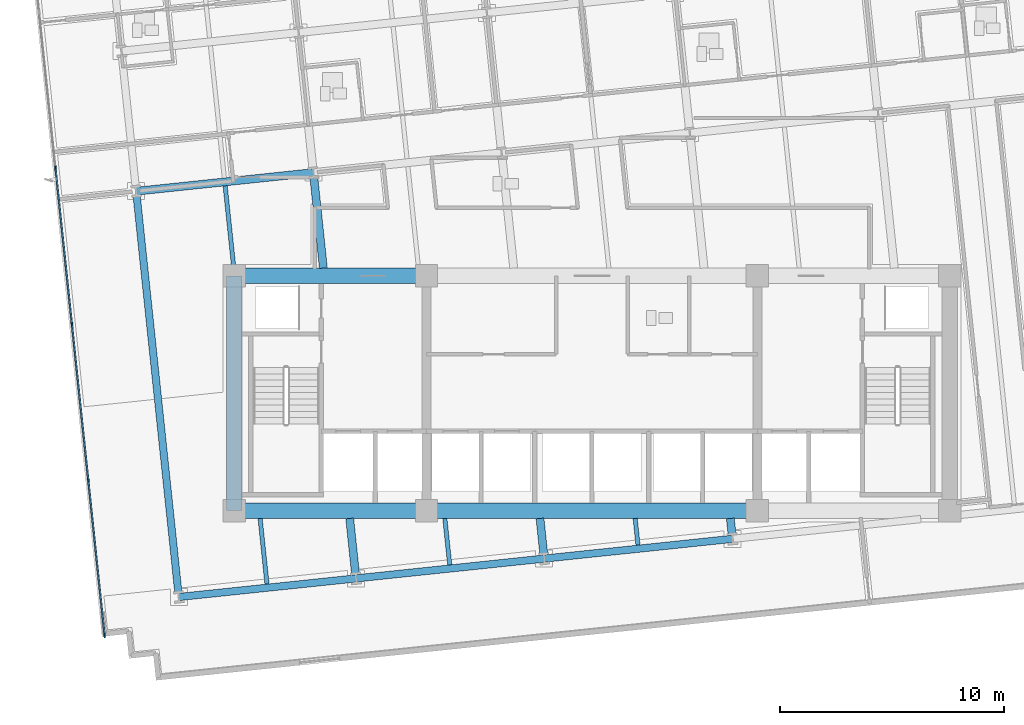
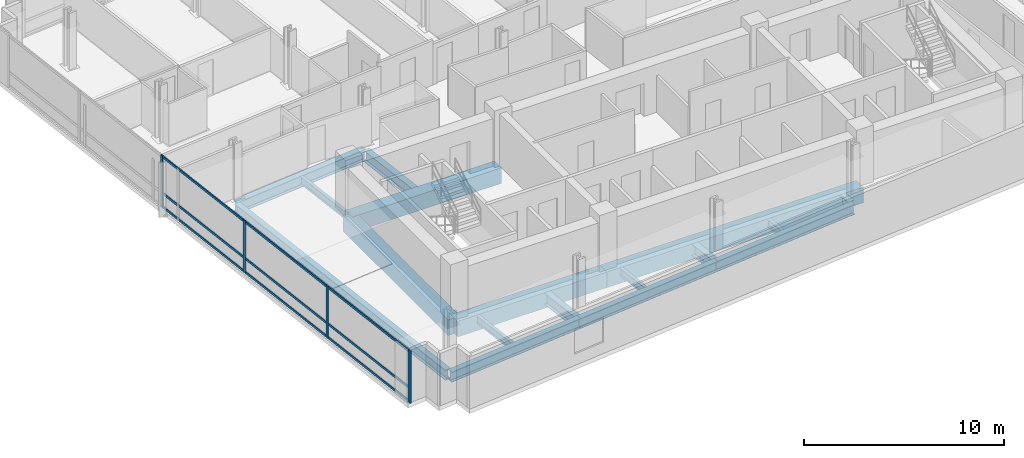
# One storey, part 2 of 20: 17 beams, 13 members, 1 element without a shape of its own.
"""IFC4 building model written with IfcOpenShell, lengths in metres."""

from ifc_helpers import new_model, si_unit, direction, frame, origin, origin_2d, place, context, subcontext, project, spatial, rectangle, i_section, extrude, material, material_profile, profile_set, type_object, element, aggregate, save


model = new_model("IFC4")

# Units and contexts
model_context = context("Model", 3, precision=1e-05, world=origin(), true_north=direction((0.0, 1.0)))
body_context = subcontext(model_context, "Body", "Model", "MODEL_VIEW")
ifc_project = project(units=[si_unit("LENGTHUNIT", "METRE"), si_unit("AREAUNIT", "SQUARE_METRE"), si_unit("VOLUMEUNIT", "CUBIC_METRE"), si_unit("PLANEANGLEUNIT", "RADIAN"), si_unit("MASSUNIT", "GRAM", prefix="KILO")], contexts=[model_context])

# Site, building, storey
site_placement = place(None, origin())
site = spatial("IfcSite", under=ifc_project, at=site_placement, CompositionType="ELEMENT")
building_placement = place(site_placement, origin())
building = spatial("IfcBuilding", under=site, at=building_placement, Name="Solmavex Isthmus Hotel", CompositionType="ELEMENT")
storey_placement = place(building_placement, frame((0.0, 0.0, 87.0)))
storey = spatial("IfcBuildingStorey", under=building, at=storey_placement, Name="L23", CompositionType="ELEMENT", Elevation=87.0)

# Beams
ifc_material_1 = material(Name="Steel ASTM A992 Grade 50", Category="steel")
ifc_material_profile_1 = material_profile(ifc_material_1, i_section(OverallWidth=0.354736328125, OverallDepth=0.695556640625, WebThickness=0.015380859375, FlangeThickness=0.02490234375, FilletRadius=0.017822265625, at=origin_2d()), Name="W27X146")
ifc_profile_set_1 = profile_set([ifc_material_profile_1], Name="Steel ASTM A992 Grade 50")
beam_type_1 = type_object("IfcBeamType", Name="BM-BG-W27X146", PredefinedType="BEAM", material=ifc_profile_set_1)
beam_1_placement = place(storey_placement, frame((-20.383056640625, 1.28564453125, -0.607666015625), z_axis=(0.994520217478, 0.10454442609, 0.0), x_axis=(-0.10454442609, 0.994520217478, 0.0)))
element("IfcBeam", 1, at=beam_1_placement, inside=storey, type_object=beam_type_1, Name="Floor Girder L23-UG07", PredefinedType="BEAM", context=body_context, shape_type="SweptSolid", body=[
    extrude(i_section(OverallWidth=0.354736328125, OverallDepth=0.695556640625, WebThickness=0.015380859375, FlangeThickness=0.02490234375, FilletRadius=0.017822265625, at=origin_2d()), origin(), (0.0, 0.0, 1.0), 7.968017578125),
])
beam_2_placement = place(storey_placement, frame((-10.568115234375, -15.868896484375, -0.607666015625), z_axis=(-0.104589444628, 0.994515484079, 0.0), x_axis=(-0.994515484079, -0.104589444628, 0.0)))
element("IfcBeam", 2, at=beam_2_placement, inside=storey, type_object=beam_type_1, Name="Floor Beam L23-VG28", PredefinedType="BEAM", context=body_context, shape_type="SweptSolid", body=[
    extrude(i_section(OverallWidth=0.354736328125, OverallDepth=0.695556640625, WebThickness=0.015380859375, FlangeThickness=0.02490234375, FilletRadius=0.017822265625, at=origin_2d()), origin(), (0.0, 0.0, 1.0), 2.53271484375),
])
beam_3_placement = place(storey_placement, frame((-12.010009765625, -2.14990234375, -0.607666015625), z_axis=(-0.104548881212, 0.994519749144, 0.0), x_axis=(-0.994519749144, -0.104548881212, 0.0)))
element("IfcBeam", 3, at=beam_3_placement, inside=storey, type_object=beam_type_1, Name="Floor Beam L23-VG29", PredefinedType="BEAM", context=body_context, shape_type="SweptSolid", body=[
    extrude(i_section(OverallWidth=0.354736328125, OverallDepth=0.695556640625, WebThickness=0.015380859375, FlangeThickness=0.02490234375, FilletRadius=0.017822265625, at=origin_2d()), origin(), (0.0, 0.0, 1.0), 4.114501953125),
])
beam_4_placement = place(storey_placement, frame((-2.148681640625, -14.984130859375, -0.607666015625), z_axis=(-0.104460468373, 0.99452903957, 0.0), x_axis=(-0.99452903957, -0.104460468373, 0.0)))
element("IfcBeam", 4, at=beam_4_placement, inside=storey, type_object=beam_type_1, Name="Floor Beam L23-VG32", PredefinedType="BEAM", context=body_context, shape_type="SweptSolid", body=[
    extrude(i_section(OverallWidth=0.354736328125, OverallDepth=0.695556640625, WebThickness=0.015380859375, FlangeThickness=0.02490234375, FilletRadius=0.017822265625, at=origin_2d()), origin(), (0.0, 0.0, 1.0), 1.64306640625),
])
beam_5_placement = place(storey_placement, frame((6.27099609375, -14.09912109375, -0.607666015625), z_axis=(-0.104381041728, 0.99453737895, 0.0), x_axis=(-0.99453737895, -0.104381041728, 0.0)))
element("IfcBeam", 5, at=beam_5_placement, inside=storey, type_object=beam_type_1, Name="Floor Beam L23-VG36", PredefinedType="BEAM", context=body_context, shape_type="SweptSolid", body=[
    extrude(i_section(OverallWidth=0.354736328125, OverallDepth=0.695556640625, WebThickness=0.015380859375, FlangeThickness=0.02490234375, FilletRadius=0.017822265625, at=origin_2d()), origin(), (0.0, 0.0, 1.0), 0.753173828125),
])
ifc_material_profile_2 = material_profile(ifc_material_1, i_section(OverallWidth=0.1904296875, OverallDepth=0.456787109375, WebThickness=0.009033203125, FlangeThickness=0.014404296875, FilletRadius=0.0126953125, at=origin_2d()), Name="W18X50")
ifc_profile_set_2 = profile_set([ifc_material_profile_2], Name="Steel ASTM A992 Grade 50")
beam_type_2 = type_object("IfcBeamType", Name="BM-BJ-W18X50", PredefinedType="JOIST", material=ifc_profile_set_2)
beam_6_placement = place(storey_placement, frame((-14.5302734375, -16.285400390625, -0.488525390625), z_axis=(-0.104555607512, 0.994519042019, 0.0), x_axis=(-0.994519042019, -0.104555607512, 0.0)))
element("IfcBeam", 6, at=beam_6_placement, inside=storey, type_object=beam_type_2, Name="Secondary Floor Joist L23-J01", PredefinedType="JOIST", context=body_context, shape_type="SweptSolid", body=[
    extrude(i_section(OverallWidth=0.1904296875, OverallDepth=0.456787109375, WebThickness=0.009033203125, FlangeThickness=0.014404296875, FilletRadius=0.0126953125, at=origin_2d()), origin(), (0.0, 0.0, 1.0), 2.951416015625),
])
beam_7_placement = place(storey_placement, frame((-16.01611328125, -2.14990234375, -0.488525390625), z_axis=(-0.104505969986, 0.99452425925, 0.0), x_axis=(-0.99452425925, -0.104505969986, 0.0)))
element("IfcBeam", 7, at=beam_7_placement, inside=storey, type_object=beam_type_2, Name="Secondary Floor Joist L23-J02", PredefinedType="JOIST", context=body_context, shape_type="SweptSolid", body=[
    extrude(i_section(OverallWidth=0.1904296875, OverallDepth=0.456787109375, WebThickness=0.009033203125, FlangeThickness=0.014404296875, FilletRadius=0.0126953125, at=origin_2d()), origin(), (0.0, 0.0, 1.0), 3.69580078125),
])
beam_8_placement = place(storey_placement, frame((-6.3583984375, -15.426513671875, -0.488525390625), z_axis=(-0.104538696399, 0.99452081977, 0.0), x_axis=(-0.99452081977, -0.104538696399, 0.0)))
element("IfcBeam", 8, at=beam_8_placement, inside=storey, type_object=beam_type_2, Name="Secondary Floor Joist L23-J05", PredefinedType="JOIST", context=body_context, shape_type="SweptSolid", body=[
    extrude(i_section(OverallWidth=0.1904296875, OverallDepth=0.456787109375, WebThickness=0.009033203125, FlangeThickness=0.014404296875, FilletRadius=0.0126953125, at=origin_2d()), origin(), (0.0, 0.0, 1.0), 2.087890625),
])
beam_9_placement = place(storey_placement, frame((2.061279296875, -14.54150390625, -0.488525390625), z_axis=(-0.104546872872, 0.994519960269, 0.0), x_axis=(-0.994519960269, -0.104546872872, 0.0)))
element("IfcBeam", 9, at=beam_9_placement, inside=storey, type_object=beam_type_2, Name="Secondary Floor Joist L23-J09", PredefinedType="JOIST", context=body_context, shape_type="SweptSolid", body=[
    extrude(i_section(OverallWidth=0.1904296875, OverallDepth=0.456787109375, WebThickness=0.009033203125, FlangeThickness=0.014404296875, FilletRadius=0.0126953125, at=origin_2d()), origin(), (0.0, 0.0, 1.0), 1.197998046875),
])
ifc_material_2 = material(Name="Concrete C60/75", Category="concrete")
ifc_material_profile_3 = material_profile(ifc_material_2, rectangle(XDim=0.699951171875, YDim=0.949951171875, at=origin_2d()), Name="RC700X950")
ifc_profile_set_3 = profile_set([ifc_material_profile_3], Name="Concrete C60/75")
beam_type_3 = type_object("IfcBeamType", Name="BM-CB-700X950", PredefinedType="BEAM", material=ifc_profile_set_3)
beam_10_placement = place(storey_placement, frame((-16.0, -13.0, -0.735107421875), z_axis=(1.0, 0.0, 0.0), x_axis=(0.0, 1.0, 0.0)))
element("IfcBeam", 10, at=beam_10_placement, inside=storey, type_object=beam_type_3, Name="Core Coupling Beam L23-CB1", PredefinedType="BEAM", context=body_context, shape_type="SweptSolid", body=[
    extrude(rectangle(XDim=0.699951171875, YDim=0.949951171875, at=origin_2d()), origin(), (0.0, 0.0, 1.0), 8.60009765625),
])
beam_11_placement = place(storey_placement, frame((-7.39990234375, -13.0, -0.735107421875), z_axis=(1.0, 0.0, 0.0), x_axis=(0.0, 1.0, 0.0)))
element("IfcBeam", 11, at=beam_11_placement, inside=storey, type_object=beam_type_3, Name="Core Coupling Beam L23-CB2", PredefinedType="BEAM", context=body_context, shape_type="SweptSolid", body=[
    extrude(rectangle(XDim=0.699951171875, YDim=0.949951171875, at=origin_2d()), origin(), (0.0, 0.0, 1.0), 14.7998046875),
])
beam_12_placement = place(storey_placement, frame((-16.0, -2.5, -0.735107421875), z_axis=(1.0, 0.0, 0.0), x_axis=(0.0, 1.0, 0.0)))
element("IfcBeam", 12, at=beam_12_placement, inside=storey, type_object=beam_type_3, Name="Core Coupling Beam L23-CB4", PredefinedType="BEAM", context=body_context, shape_type="SweptSolid", body=[
    extrude(rectangle(XDim=0.699951171875, YDim=0.949951171875, at=origin_2d()), origin(), (0.0, 0.0, 1.0), 8.60009765625),
])
beam_13_placement = place(storey_placement, frame((-16.0, -13.0, -0.735107421875), z_axis=(0.0, 1.0, 0.0), x_axis=(-1.0, 0.0, 0.0)))
element("IfcBeam", 13, at=beam_13_placement, inside=storey, type_object=beam_type_3, Name="Core Coupling Beam L23-CB7", PredefinedType="BEAM", context=body_context, shape_type="SweptSolid", body=[
    extrude(rectangle(XDim=0.699951171875, YDim=0.949951171875, at=origin_2d()), origin(), (0.0, 0.0, 1.0), 10.5),
])
ifc_material_profile_4 = material_profile(ifc_material_1, i_section(OverallWidth=0.326416015625, OverallDepth=0.621826171875, WebThickness=0.015380859375, FlangeThickness=0.0244140625, FilletRadius=0.01513671875, at=origin_2d()), Name="W24X131")
ifc_profile_set_4 = profile_set([ifc_material_profile_4], Name="Steel ASTM A992 Grade 50")
beam_type_4 = type_object("IfcBeamType", Name="BM-SP-W24X131", PredefinedType="SPANDREL", material=ifc_profile_set_4)
beam_14_placement = place(storey_placement, frame((-18.475341796875, -16.8642578125, -0.57080078125), z_axis=(0.994523402738, 0.104514120609, 0.0), x_axis=(-0.104514120609, 0.994523402738, 0.0)))
element("IfcBeam", 14, at=beam_14_placement, inside=storey, type_object=beam_type_4, Name="Floor Girder L23-UG01", PredefinedType="SPANDREL", context=body_context, shape_type="SweptSolid", body=[
    extrude(i_section(OverallWidth=0.326416015625, OverallDepth=0.621826171875, WebThickness=0.015380859375, FlangeThickness=0.0244140625, FilletRadius=0.01513671875, at=origin_2d()), origin(), (0.0, 0.0, 1.0), 7.968017578125),
])
beam_15_placement = place(storey_placement, frame((-10.551025390625, -16.031494140625, -0.57080078125), z_axis=(0.994520770064, 0.104539169271, 0.0), x_axis=(-0.104539169271, 0.994520770064, 0.0)))
element("IfcBeam", 15, at=beam_15_placement, inside=storey, type_object=beam_type_4, Name="Floor Girder L23-UG02", PredefinedType="SPANDREL", context=body_context, shape_type="SweptSolid", body=[
    extrude(i_section(OverallWidth=0.326416015625, OverallDepth=0.621826171875, WebThickness=0.015380859375, FlangeThickness=0.0244140625, FilletRadius=0.01513671875, at=origin_2d()), origin(), (0.0, 0.0, 1.0), 8.4658203125),
])
beam_16_placement = place(storey_placement, frame((-2.131591796875, -15.146484375, -0.57080078125), z_axis=(0.994521085209, 0.104536171134, 0.0), x_axis=(-0.104536171134, 0.994521085209, 0.0)))
element("IfcBeam", 16, at=beam_16_placement, inside=storey, type_object=beam_type_4, Name="Floor Girder L23-UG03", PredefinedType="SPANDREL", context=body_context, shape_type="SweptSolid", body=[
    extrude(i_section(OverallWidth=0.326416015625, OverallDepth=0.621826171875, WebThickness=0.015380859375, FlangeThickness=0.0244140625, FilletRadius=0.01513671875, at=origin_2d()), origin(), (0.0, 0.0, 1.0), 8.466064453125),
])
beam_17_placement = place(storey_placement, frame((-18.492431640625, -16.701904296875, -0.57080078125), z_axis=(-0.104530088192, 0.99452172458, 0.0), x_axis=(-0.99452172458, -0.104530088192, 0.0)))
element("IfcBeam", 17, at=beam_17_placement, inside=storey, type_object=beam_type_4, Name="Floor Beam L23-VG25", PredefinedType="SPANDREL", context=body_context, shape_type="SweptSolid", body=[
    extrude(i_section(OverallWidth=0.326416015625, OverallDepth=0.621826171875, WebThickness=0.015380859375, FlangeThickness=0.0244140625, FilletRadius=0.01513671875, at=origin_2d()), origin(), (0.0, 0.0, 1.0), 17.909423828125),
])

# Curtain wall, members
ifc_material_3 = material(Name="Aluminium alloy 6063-T6", Category="aluminium")
curtain_wall_type = type_object("IfcCurtainWallType", Name="CW-SYS-03", PredefinedType="NOTDEFINED", material=ifc_material_3)
curtain_wall_placement = place(storey_placement, origin())
curtain_wall = element("IfcCurtainWall", 18, at=curtain_wall_placement, inside=storey, type_object=curtain_wall_type, Name="Stick Curtain Wall CWL-L23-W1", PredefinedType="NOTDEFINED")
ifc_material_profile_5 = material_profile(ifc_material_3, rectangle(XDim=0.070068359375, YDim=0.179931640625, at=origin_2d()), Name="CWM-70X180")
ifc_profile_set_5 = profile_set([ifc_material_profile_5], Name="Aluminium alloy 6063-T6")
member_type_1 = type_object("IfcMemberType", Name="CW-SYS-03-MUL", PredefinedType="MULLION", material=ifc_profile_set_5)
member_1_placement = place(storey_placement, frame((-21.793701171875, -18.585693359375, 0.0), z_axis=(0.0, 0.0, 1.0), x_axis=(-0.994521893044, -0.104528485381, 0.0)))
member_1 = element("IfcMember", 19, at=member_1_placement, type_object=member_type_1, Name="CW-03 mullion 1", PredefinedType="MULLION", context=body_context, shape_type="SweptSolid", body=[
    extrude(rectangle(XDim=0.070068359375, YDim=0.179931640625, at=origin_2d()), origin(), (0.0, 0.0, 1.0), 3.18994140625),
])
member_2_placement = place(storey_placement, frame((-22.52392578125, -11.638916015625, 0.0), z_axis=(0.0, 0.0, 1.0), x_axis=(-0.994521893044, -0.104528485381, 0.0)))
member_2 = element("IfcMember", 20, at=member_2_placement, type_object=member_type_1, Name="CW-03 mullion 2", PredefinedType="MULLION", context=body_context, shape_type="SweptSolid", body=[
    extrude(rectangle(XDim=0.070068359375, YDim=0.179931640625, at=origin_2d()), origin(), (0.0, 0.0, 1.0), 3.18994140625),
])
member_3_placement = place(storey_placement, frame((-23.257568359375, -4.6572265625, 0.0), z_axis=(0.0, 0.0, 1.0), x_axis=(-0.994521893044, -0.104528485381, 0.0)))
member_3 = element("IfcMember", 21, at=member_3_placement, type_object=member_type_1, Name="CW-03 mullion 3", PredefinedType="MULLION", context=body_context, shape_type="SweptSolid", body=[
    extrude(rectangle(XDim=0.070068359375, YDim=0.179931640625, at=origin_2d()), origin(), (0.0, 0.0, 1.0), 3.18994140625),
])
member_4_placement = place(storey_placement, frame((-23.991455078125, 2.32421875, 0.0), z_axis=(0.0, 0.0, 1.0), x_axis=(-0.994521893044, -0.104528485381, 0.0)))
member_4 = element("IfcMember", 22, at=member_4_placement, type_object=member_type_1, Name="CW-03 mullion 4", PredefinedType="MULLION", context=body_context, shape_type="SweptSolid", body=[
    extrude(rectangle(XDim=0.070068359375, YDim=0.179931640625, at=origin_2d()), origin(), (0.0, 0.0, 1.0), 3.18994140625),
])
ifc_material_profile_6 = material_profile(ifc_material_3, rectangle(XDim=0.070068359375, YDim=0.139892578125, at=origin_2d()), Name="CWT-70X140")
ifc_profile_set_6 = profile_set([ifc_material_profile_6], Name="Aluminium alloy 6063-T6")
member_type_2 = type_object("IfcMemberType", Name="CW-SYS-03-TRN", PredefinedType="USERDEFINED", material=ifc_profile_set_6)
member_5_placement = place(storey_placement, frame((-21.79736328125, -18.55078125, 0.070068359375), z_axis=(-0.104539595565, 0.994520725254, 0.0), x_axis=(-0.994520725254, -0.104539595565, 0.0)))
member_5 = element("IfcMember", 23, at=member_5_placement, type_object=member_type_2, Name="CW-03 transom 1.1", ObjectType="TRANSOM", PredefinedType="USERDEFINED", context=body_context, shape_type="SweptSolid", body=[
    extrude(rectangle(XDim=0.070068359375, YDim=0.139892578125, at=origin_2d()), origin(), (0.0, 0.0, 1.0), 6.9150390625),
])
member_6_placement = place(storey_placement, frame((-21.79736328125, -18.55078125, 0.89990234375), z_axis=(-0.104539595565, 0.994520725254, 0.0), x_axis=(-0.994520725254, -0.104539595565, 0.0)))
member_6 = element("IfcMember", 24, at=member_6_placement, type_object=member_type_2, Name="CW-03 transom 1.2", ObjectType="TRANSOM", PredefinedType="USERDEFINED", context=body_context, shape_type="SweptSolid", body=[
    extrude(rectangle(XDim=0.070068359375, YDim=0.139892578125, at=origin_2d()), origin(), (0.0, 0.0, 1.0), 6.9150390625),
])
member_7_placement = place(storey_placement, frame((-21.79736328125, -18.55078125, 3.1201171875), z_axis=(-0.104539595565, 0.994520725254, 0.0), x_axis=(-0.994520725254, -0.104539595565, 0.0)))
member_7 = element("IfcMember", 25, at=member_7_placement, type_object=member_type_2, Name="CW-03 transom 1.3", ObjectType="TRANSOM", PredefinedType="USERDEFINED", context=body_context, shape_type="SweptSolid", body=[
    extrude(rectangle(XDim=0.070068359375, YDim=0.139892578125, at=origin_2d()), origin(), (0.0, 0.0, 1.0), 6.9150390625),
])
member_8_placement = place(storey_placement, frame((-22.527587890625, -11.60400390625, 0.070068359375), z_axis=(-0.104507407784, 0.994524108163, 0.0), x_axis=(-0.994524108163, -0.104507407784, 0.0)))
member_8 = element("IfcMember", 26, at=member_8_placement, type_object=member_type_2, Name="CW-03 transom 2.1", ObjectType="TRANSOM", PredefinedType="USERDEFINED", context=body_context, shape_type="SweptSolid", body=[
    extrude(rectangle(XDim=0.070068359375, YDim=0.139892578125, at=origin_2d()), origin(), (0.0, 0.0, 1.0), 6.949951171875),
])
member_9_placement = place(storey_placement, frame((-22.527587890625, -11.60400390625, 0.89990234375), z_axis=(-0.104507407784, 0.994524108163, 0.0), x_axis=(-0.994524108163, -0.104507407784, 0.0)))
member_9 = element("IfcMember", 27, at=member_9_placement, type_object=member_type_2, Name="CW-03 transom 2.2", ObjectType="TRANSOM", PredefinedType="USERDEFINED", context=body_context, shape_type="SweptSolid", body=[
    extrude(rectangle(XDim=0.070068359375, YDim=0.139892578125, at=origin_2d()), origin(), (0.0, 0.0, 1.0), 6.949951171875),
])
member_10_placement = place(storey_placement, frame((-22.527587890625, -11.60400390625, 3.1201171875), z_axis=(-0.104507407784, 0.994524108163, 0.0), x_axis=(-0.994524108163, -0.104507407784, 0.0)))
member_10 = element("IfcMember", 28, at=member_10_placement, type_object=member_type_2, Name="CW-03 transom 2.3", ObjectType="TRANSOM", PredefinedType="USERDEFINED", context=body_context, shape_type="SweptSolid", body=[
    extrude(rectangle(XDim=0.070068359375, YDim=0.139892578125, at=origin_2d()), origin(), (0.0, 0.0, 1.0), 6.949951171875),
])
member_11_placement = place(storey_placement, frame((-23.26123046875, -4.62255859375, 0.070068359375), z_axis=(-0.104538500317, 0.994520840381, 0.0), x_axis=(-0.994520840381, -0.104538500317, 0.0)))
member_11 = element("IfcMember", 29, at=member_11_placement, type_object=member_type_2, Name="CW-03 transom 3.1", ObjectType="TRANSOM", PredefinedType="USERDEFINED", context=body_context, shape_type="SweptSolid", body=[
    extrude(rectangle(XDim=0.070068359375, YDim=0.139892578125, at=origin_2d()), origin(), (0.0, 0.0, 1.0), 6.9501953125),
])
member_12_placement = place(storey_placement, frame((-23.26123046875, -4.62255859375, 0.89990234375), z_axis=(-0.104538500317, 0.994520840381, 0.0), x_axis=(-0.994520840381, -0.104538500317, 0.0)))
member_12 = element("IfcMember", 30, at=member_12_placement, type_object=member_type_2, Name="CW-03 transom 3.2", ObjectType="TRANSOM", PredefinedType="USERDEFINED", context=body_context, shape_type="SweptSolid", body=[
    extrude(rectangle(XDim=0.070068359375, YDim=0.139892578125, at=origin_2d()), origin(), (0.0, 0.0, 1.0), 6.9501953125),
])
member_13_placement = place(storey_placement, frame((-23.26123046875, -4.62255859375, 3.1201171875), z_axis=(-0.104538500317, 0.994520840381, 0.0), x_axis=(-0.994520840381, -0.104538500317, 0.0)))
member_13 = element("IfcMember", 31, at=member_13_placement, type_object=member_type_2, Name="CW-03 transom 3.3", ObjectType="TRANSOM", PredefinedType="USERDEFINED", context=body_context, shape_type="SweptSolid", body=[
    extrude(rectangle(XDim=0.070068359375, YDim=0.139892578125, at=origin_2d()), origin(), (0.0, 0.0, 1.0), 6.9501953125),
])
aggregate(curtain_wall, [member_1, member_2, member_3, member_4, member_5, member_6, member_7, member_8, member_9, member_10, member_11, member_12, member_13])

save(model, "model.ifc")
